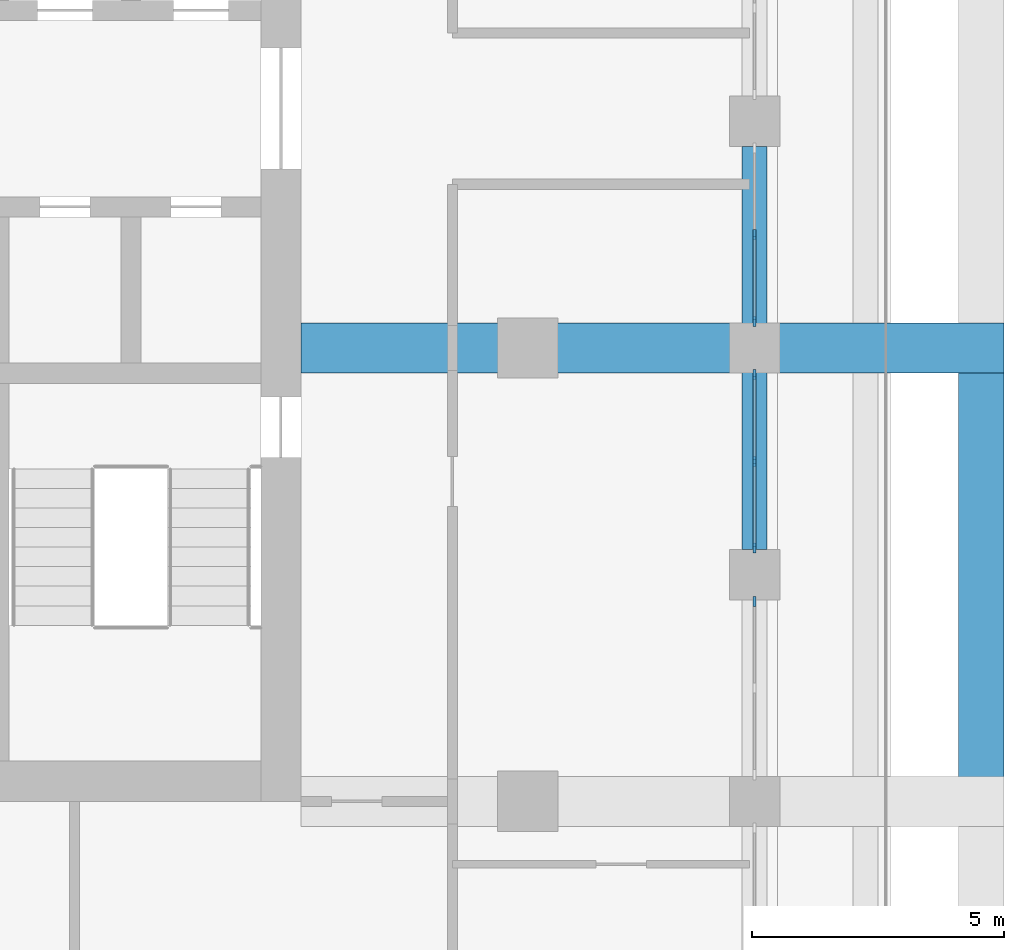
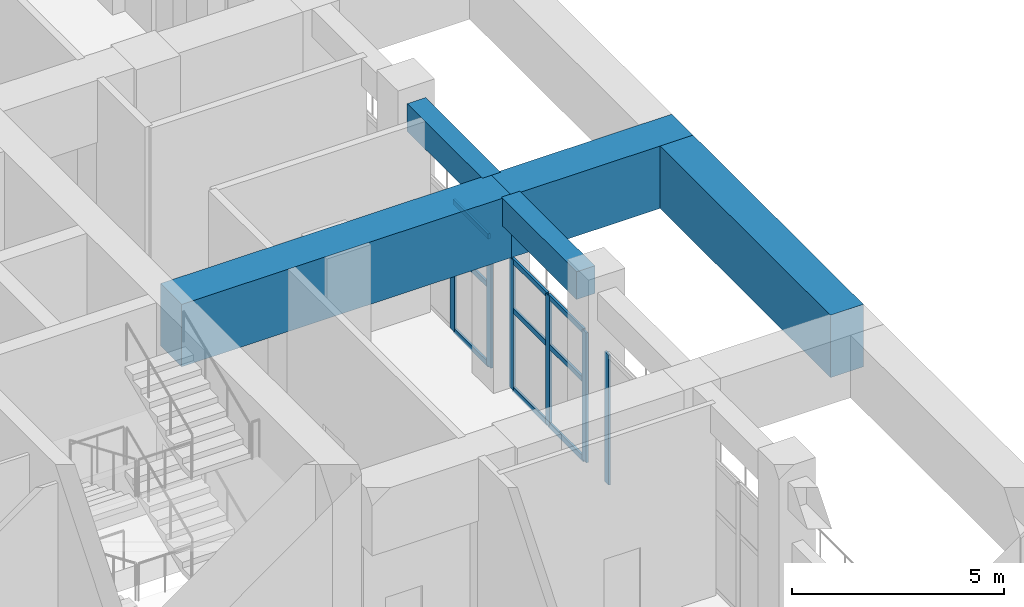
# One storey, part 5 of 25: 15 members, 5 beams, 3 elements without a shape of their own.
"""IFC4 building model written with IfcOpenShell, lengths in metres."""

from ifc_helpers import new_model, si_unit, direction, frame, origin, origin_2d, place, context, subcontext, project, spatial, rectangle, extrude, material, material_profile, profile_set, type_object, element, aggregate, save


model = new_model("IFC4")

# Units and contexts
model_context = context("Model", 3, precision=1e-05, world=origin(), true_north=direction((0.0, 1.0)))
body_context = subcontext(model_context, "Body", "Model", "MODEL_VIEW")
ifc_project = project(units=[si_unit("LENGTHUNIT", "METRE"), si_unit("AREAUNIT", "SQUARE_METRE"), si_unit("VOLUMEUNIT", "CUBIC_METRE"), si_unit("PLANEANGLEUNIT", "RADIAN"), si_unit("MASSUNIT", "GRAM", prefix="KILO")], contexts=[model_context])

# Site, building, storey
site_placement = place(None, origin())
site = spatial("IfcSite", under=ifc_project, at=site_placement, CompositionType="ELEMENT")
building_placement = place(site_placement, origin())
building = spatial("IfcBuilding", under=site, at=building_placement, Name="Corbel Stack Research Tower", CompositionType="ELEMENT")
storey_placement = place(building_placement, frame((0.0, 0.0, 185.5)))
storey = spatial("IfcBuildingStorey", under=building, at=storey_placement, Name="L42", CompositionType="ELEMENT", Elevation=185.5)

# Curtain wall, member
ifc_material_1 = material(Name="Aluminium frame, clear glass", Category="aluminium")
curtain_wall_type = type_object("IfcCurtainWallType", Name="Upper amenity floor curtain wall CW3", PredefinedType="NOTDEFINED", material=ifc_material_1)
curtain_wall_1_placement = place(storey_placement, origin())
curtain_wall_1 = element("IfcCurtainWall", 1, at=curtain_wall_1_placement, inside=storey, type_object=curtain_wall_type, Name="Curtain wall CW3 L42 E04", PredefinedType="NOTDEFINED")
ifc_material_2 = material(Name="Aluminium mullion", Category="aluminium")
ifc_material_profile_1 = material_profile(ifc_material_2, rectangle(XDim=0.06005859375, YDim=0.199951171875, at=origin_2d()), Name="Mullion 60 x 200")
ifc_profile_set_1 = profile_set([ifc_material_profile_1], Name="Aluminium mullion")
member_type_1 = type_object("IfcMemberType", Name="Curtain wall mullion 60 x 200", PredefinedType="MULLION", material=ifc_profile_set_1)
member_1_placement = place(storey_placement, frame((27.0, -5.030029296875, 0.0), z_axis=(0.0, 0.0, 1.0), x_axis=(-1.0, 0.0, 0.0)))
member_1 = element("IfcMember", 2, at=member_1_placement, type_object=member_type_1, Name="CW3 mullion 3", PredefinedType="MULLION", context=body_context, shape_type="SweptSolid", body=[
    extrude(rectangle(XDim=0.06005859375, YDim=0.199951171875, at=origin_2d()), origin(), (0.0, 0.0, 1.0), 3.75),
])
aggregate(curtain_wall_1, [member_1])

# Curtain wall, members
curtain_wall_2_placement = place(storey_placement, origin())
curtain_wall_2 = element("IfcCurtainWall", 3, at=curtain_wall_2_placement, inside=storey, type_object=curtain_wall_type, Name="Curtain wall CW3 L42 E05", PredefinedType="NOTDEFINED")
member_2_placement = place(storey_placement, frame((27.0, -3.969970703125, 0.0), z_axis=(0.0, 0.0, 1.0), x_axis=(-1.0, 0.0, 0.0)))
member_2 = element("IfcMember", 4, at=member_2_placement, type_object=member_type_1, Name="CW3 mullion 1", PredefinedType="MULLION", context=body_context, shape_type="SweptSolid", body=[
    extrude(rectangle(XDim=0.06005859375, YDim=0.199951171875, at=origin_2d()), origin(), (0.0, 0.0, 1.0), 3.75),
])
member_3_placement = place(storey_placement, frame((27.0, -2.25, 0.0), z_axis=(0.0, 0.0, 1.0), x_axis=(-1.0, 0.0, 0.0)))
member_3 = element("IfcMember", 5, at=member_3_placement, type_object=member_type_1, Name="CW3 mullion 2", PredefinedType="MULLION", context=body_context, shape_type="SweptSolid", body=[
    extrude(rectangle(XDim=0.06005859375, YDim=0.199951171875, at=origin_2d()), origin(), (0.0, 0.0, 1.0), 3.75),
])
member_4_placement = place(storey_placement, frame((27.0, -0.530029296875, 0.0), z_axis=(0.0, 0.0, 1.0), x_axis=(-1.0, 0.0, 0.0)))
member_4 = element("IfcMember", 6, at=member_4_placement, type_object=member_type_1, Name="CW3 mullion 3", PredefinedType="MULLION", context=body_context, shape_type="SweptSolid", body=[
    extrude(rectangle(XDim=0.06005859375, YDim=0.199951171875, at=origin_2d()), origin(), (0.0, 0.0, 1.0), 3.75),
])

curtain_wall_3_placement = place(storey_placement, origin())
curtain_wall_3 = element("IfcCurtainWall", 7, at=curtain_wall_3_placement, inside=storey, type_object=curtain_wall_type, Name="Curtain wall CW3 L42 E06", PredefinedType="NOTDEFINED")
member_5_placement = place(storey_placement, frame((27.0, 0.530029296875, 0.0), z_axis=(0.0, 0.0, 1.0), x_axis=(-1.0, 0.0, 0.0)))
member_5 = element("IfcMember", 8, at=member_5_placement, type_object=member_type_1, Name="CW3 mullion 1", PredefinedType="MULLION", context=body_context, shape_type="SweptSolid", body=[
    extrude(rectangle(XDim=0.06005859375, YDim=0.199951171875, at=origin_2d()), origin(), (0.0, 0.0, 1.0), 3.75),
])
member_6_placement = place(storey_placement, frame((27.0, 2.25, 0.0), z_axis=(0.0, 0.0, 1.0), x_axis=(-1.0, 0.0, 0.0)))
member_6 = element("IfcMember", 9, at=member_6_placement, type_object=member_type_1, Name="CW3 mullion 2", PredefinedType="MULLION", context=body_context, shape_type="SweptSolid", body=[
    extrude(rectangle(XDim=0.06005859375, YDim=0.199951171875, at=origin_2d()), origin(), (0.0, 0.0, 1.0), 3.75),
])

# Member
ifc_material_3 = material(Name="Aluminium transom", Category="aluminium")
ifc_material_profile_2 = material_profile(ifc_material_3, rectangle(XDim=0.06005859375, YDim=0.14990234375, at=origin_2d()), Name="Transom 60 x 150")
ifc_profile_set_2 = profile_set([ifc_material_profile_2], Name="Aluminium transom")
member_type_2 = type_object("IfcMemberType", Name="Curtain wall transom 60 x 150", PredefinedType="USERDEFINED", material=ifc_profile_set_2)
member_7_placement = place(storey_placement, frame((27.0, -3.93994140625, 0.030029296875), z_axis=(0.0, 1.0, 0.0), x_axis=(-1.0, 0.0, 0.0)))
member_7 = element("IfcMember", 10, at=member_7_placement, type_object=member_type_2, Name="CW3 transom 1.1", ObjectType="TRANSOM", PredefinedType="USERDEFINED", context=body_context, shape_type="SweptSolid", body=[
    extrude(rectangle(XDim=0.06005859375, YDim=0.14990234375, at=origin_2d()), origin(), (0.0, 0.0, 1.0), 1.659912109375),
])

member_8_placement = place(storey_placement, frame((27.0, -3.93994140625, 2.300048828125), z_axis=(0.0, 1.0, 0.0), x_axis=(-1.0, 0.0, 0.0)))
member_8 = element("IfcMember", 11, at=member_8_placement, type_object=member_type_2, Name="CW3 transom 1.2", ObjectType="TRANSOM", PredefinedType="USERDEFINED", context=body_context, shape_type="SweptSolid", body=[
    extrude(rectangle(XDim=0.06005859375, YDim=0.14990234375, at=origin_2d()), origin(), (0.0, 0.0, 1.0), 1.659912109375),
])

member_9_placement = place(storey_placement, frame((27.0, -3.93994140625, 3.719970703125), z_axis=(0.0, 1.0, 0.0), x_axis=(-1.0, 0.0, 0.0)))
member_9 = element("IfcMember", 12, at=member_9_placement, type_object=member_type_2, Name="CW3 transom 1.3", ObjectType="TRANSOM", PredefinedType="USERDEFINED", context=body_context, shape_type="SweptSolid", body=[
    extrude(rectangle(XDim=0.06005859375, YDim=0.14990234375, at=origin_2d()), origin(), (0.0, 0.0, 1.0), 1.659912109375),
])

member_10_placement = place(storey_placement, frame((27.0, -2.219970703125, 0.030029296875), z_axis=(0.0, 1.0, 0.0), x_axis=(-1.0, 0.0, 0.0)))
member_10 = element("IfcMember", 13, at=member_10_placement, type_object=member_type_2, Name="CW3 transom 2.1", ObjectType="TRANSOM", PredefinedType="USERDEFINED", context=body_context, shape_type="SweptSolid", body=[
    extrude(rectangle(XDim=0.06005859375, YDim=0.14990234375, at=origin_2d()), origin(), (0.0, 0.0, 1.0), 1.659912109375),
])

member_11_placement = place(storey_placement, frame((27.0, -2.219970703125, 2.300048828125), z_axis=(0.0, 1.0, 0.0), x_axis=(-1.0, 0.0, 0.0)))
member_11 = element("IfcMember", 14, at=member_11_placement, type_object=member_type_2, Name="CW3 transom 2.2", ObjectType="TRANSOM", PredefinedType="USERDEFINED", context=body_context, shape_type="SweptSolid", body=[
    extrude(rectangle(XDim=0.06005859375, YDim=0.14990234375, at=origin_2d()), origin(), (0.0, 0.0, 1.0), 1.659912109375),
])

member_12_placement = place(storey_placement, frame((27.0, -2.219970703125, 3.719970703125), z_axis=(0.0, 1.0, 0.0), x_axis=(-1.0, 0.0, 0.0)))
member_12 = element("IfcMember", 15, at=member_12_placement, type_object=member_type_2, Name="CW3 transom 2.3", ObjectType="TRANSOM", PredefinedType="USERDEFINED", context=body_context, shape_type="SweptSolid", body=[
    extrude(rectangle(XDim=0.06005859375, YDim=0.14990234375, at=origin_2d()), origin(), (0.0, 0.0, 1.0), 1.659912109375),
])

aggregate(curtain_wall_2, [member_2, member_3, member_4, member_7, member_8, member_9, member_10, member_11, member_12])

member_13_placement = place(storey_placement, frame((27.0, 0.56005859375, 0.030029296875), z_axis=(0.0, 1.0, 0.0), x_axis=(-1.0, 0.0, 0.0)))
member_13 = element("IfcMember", 16, at=member_13_placement, type_object=member_type_2, Name="CW3 transom 1.1", ObjectType="TRANSOM", PredefinedType="USERDEFINED", context=body_context, shape_type="SweptSolid", body=[
    extrude(rectangle(XDim=0.06005859375, YDim=0.14990234375, at=origin_2d()), origin(), (0.0, 0.0, 1.0), 1.659912109375),
])

member_14_placement = place(storey_placement, frame((27.0, 0.56005859375, 2.300048828125), z_axis=(0.0, 1.0, 0.0), x_axis=(-1.0, 0.0, 0.0)))
member_14 = element("IfcMember", 17, at=member_14_placement, type_object=member_type_2, Name="CW3 transom 1.2", ObjectType="TRANSOM", PredefinedType="USERDEFINED", context=body_context, shape_type="SweptSolid", body=[
    extrude(rectangle(XDim=0.06005859375, YDim=0.14990234375, at=origin_2d()), origin(), (0.0, 0.0, 1.0), 1.659912109375),
])

member_15_placement = place(storey_placement, frame((27.0, 0.56005859375, 3.719970703125), z_axis=(0.0, 1.0, 0.0), x_axis=(-1.0, 0.0, 0.0)))
member_15 = element("IfcMember", 18, at=member_15_placement, type_object=member_type_2, Name="CW3 transom 1.3", ObjectType="TRANSOM", PredefinedType="USERDEFINED", context=body_context, shape_type="SweptSolid", body=[
    extrude(rectangle(XDim=0.06005859375, YDim=0.14990234375, at=origin_2d()), origin(), (0.0, 0.0, 1.0), 1.659912109375),
])

aggregate(curtain_wall_3, [member_5, member_6, member_13, member_14, member_15])

# Beams
ifc_material_4 = material(Name="Concrete C60/75", Category="concrete")
ifc_material_profile_3 = material_profile(ifc_material_4, rectangle(XDim=0.5, YDim=0.800048828125, at=origin_2d()), Name="RC 500 x 800")
ifc_profile_set_3 = profile_set([ifc_material_profile_3], Name="Concrete C60/75")
beam_type_1 = type_object("IfcBeamType", Name="SB-500-800-450", PredefinedType="SPANDREL", material=ifc_profile_set_3)
for number, where, z_axis, x_axis, name in (
    (19, (27.0, -4.0, 5.14990234375), (0.0, 1.0, 0.0), (-1.0, 0.0, 0.0), "Spandrel beam L42-16"),
    (20, (27.0, 0.449951171875, 5.14990234375), (0.0, 1.0, 0.0), (-1.0, 0.0, 0.0), "Spandrel beam L42-17"),
):
    element("IfcBeam", number, at=place(storey_placement, frame(where, z_axis=z_axis, x_axis=x_axis)), inside=storey, type_object=beam_type_1, Name=name, PredefinedType="SPANDREL", context=body_context, shape_type="SweptSolid", body=[
        extrude(rectangle(XDim=0.5, YDim=0.800048828125, at=origin_2d()), origin(), (0.0, 0.0, 1.0), 3.550048828125),
    ])
ifc_material_5 = material(Name="Concrete C60/75", Category="concrete")
ifc_material_profile_4 = material_profile(ifc_material_5, rectangle(XDim=1.0, YDim=1.800048828125, at=origin_2d()), Name="RC 1000 x 1800")
ifc_profile_set_4 = profile_set([ifc_material_profile_4], Name="Concrete C60/75")
beam_type_2 = type_object("IfcBeamType", Name="TG-1000-1800", PredefinedType="BEAM", material=ifc_profile_set_4)
beam_1_placement = place(storey_placement, frame((31.949951171875, 0.0, 4.64990234375), z_axis=(-1.0, 0.0, 0.0), x_axis=(0.0, -1.0, 0.0)))
element("IfcBeam", 21, at=beam_1_placement, inside=storey, type_object=beam_type_2, Name="Transfer girder L42 E0c", PredefinedType="BEAM", context=body_context, shape_type="SweptSolid", body=[
    extrude(rectangle(XDim=1.0, YDim=1.800048828125, at=origin_2d()), origin(), (0.0, 0.0, 1.0), 4.949951171875),
])
beam_2_placement = place(storey_placement, frame((27.0, 0.0, 4.64990234375), z_axis=(-1.0, 0.0, 0.0), x_axis=(0.0, -1.0, 0.0)))
element("IfcBeam", 22, at=beam_2_placement, inside=storey, type_object=beam_type_2, Name="Transfer girder L42 E0b", PredefinedType="BEAM", context=body_context, shape_type="SweptSolid", body=[
    extrude(rectangle(XDim=1.0, YDim=1.800048828125, at=origin_2d()), origin(), (0.0, 0.0, 1.0), 9.0),
])
ifc_material_6 = material(Name="Concrete C60/75", Category="concrete")
ifc_material_profile_5 = material_profile(ifc_material_6, rectangle(XDim=0.89990234375, YDim=1.800048828125, at=origin_2d()), Name="RC 900 x 1800")
ifc_profile_set_5 = profile_set([ifc_material_profile_5], Name="Concrete C60/75")
beam_type_3 = type_object("IfcBeamType", Name="TG-900-1800", PredefinedType="BEAM", material=ifc_profile_set_5)
beam_3_placement = place(storey_placement, frame((31.5, -8.550048828125, 4.64990234375), z_axis=(0.0, 1.0, 0.0), x_axis=(-1.0, 0.0, 0.0)))
element("IfcBeam", 23, at=beam_3_placement, inside=storey, type_object=beam_type_3, Name="Transfer edge beam L42 Ee-9", PredefinedType="BEAM", context=body_context, shape_type="SweptSolid", body=[
    extrude(rectangle(XDim=0.89990234375, YDim=1.800048828125, at=origin_2d()), origin(), (0.0, 0.0, 1.0), 8.10009765625),
])

save(model, "model.ifc")
